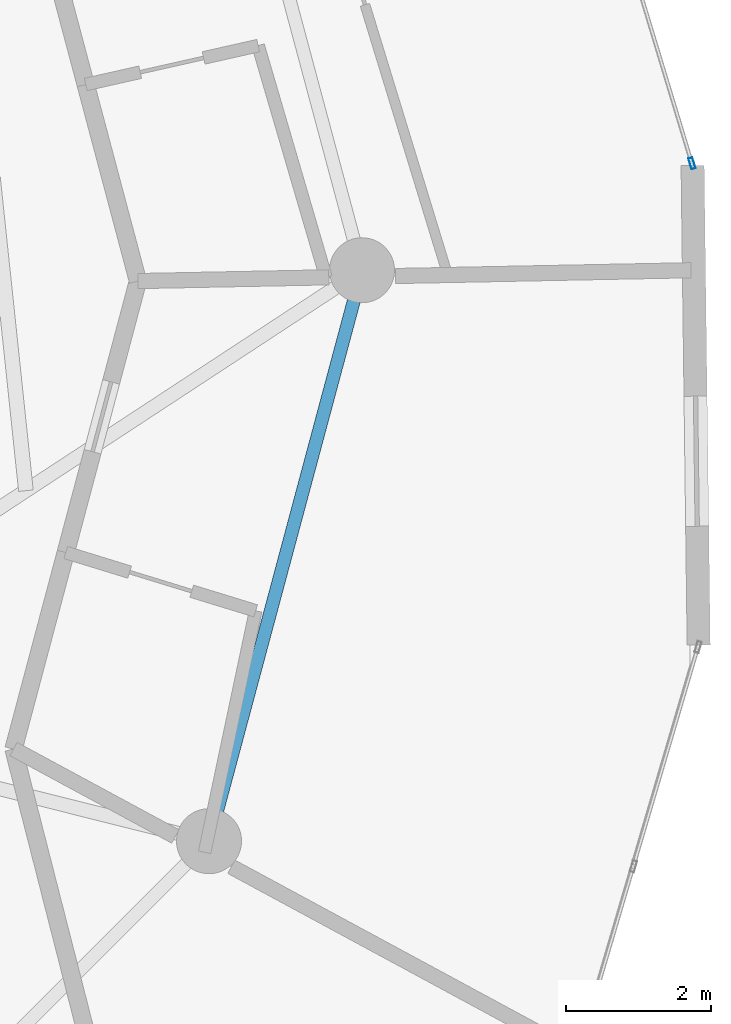
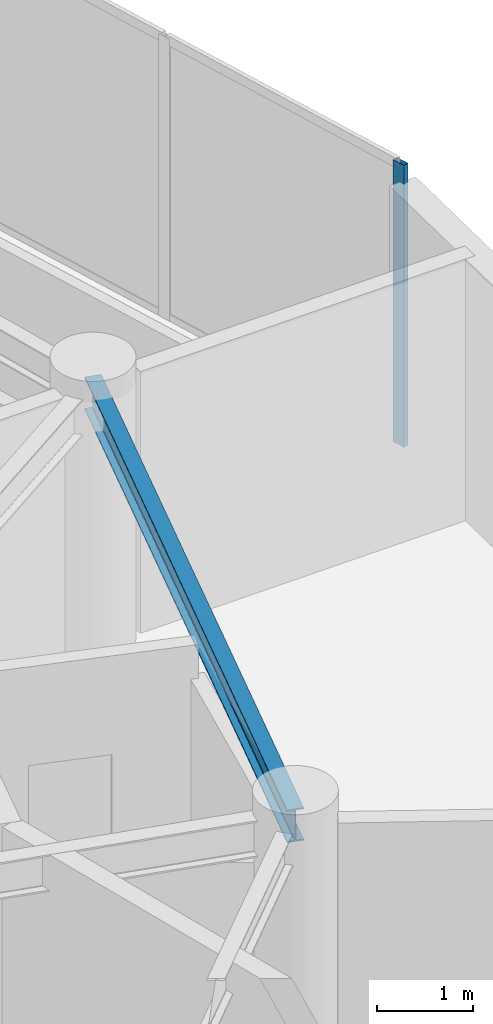
# One storey, part 10 of 21: 1 beam, 1 member, 1 element without a shape of its own.
"""IFC4 building model written with IfcOpenShell, lengths in metres."""

import ifcopenshell
import ifcopenshell.guid

model = None  # the IFC model being written
_history = None  # IfcOwnerHistory: only IFC2X3 demands one
_inside = {}  # id of a spatial element -> (the spatial element, [elements in it])
_under = {}  # id of a project, library or spatial element -> (it, [spatial elements below it])
_declared = {}  # id of a project -> (the project, [libraries it declares])
_typed = {}  # id of a type object -> (the type object, [elements of that type])
_made_of = {}  # id of a material, layer set ... -> (it, [elements and type objects made of it])


def new_model(schema):
    """Start an empty IFC model of exactly this schema.

    Asked for "IFC4X3", IfcOpenShell would pick the latest addendum, in which some entities
    have other attributes; the version numbers below select the first issue.
    IFC2X3 requires an IfcOwnerHistory on every rooted entity: one is made here for all.
    """
    global model, _history
    if schema == "IFC4X3":
        model = ifcopenshell.file(schema_version=(4, 3, 0, 0))
    else:
        model = ifcopenshell.file(schema=schema)
    _inside.clear()
    _under.clear()
    _declared.clear()
    _typed.clear()
    _made_of.clear()
    _history = None
    if model.schema == "IFC2X3":
        org = make("IfcOrganization", Name="unknown")
        user = make(
            "IfcPersonAndOrganization",
            ThePerson=make("IfcPerson", FamilyName="unknown"),
            TheOrganization=org,
        )
        app = make(
            "IfcApplication",
            ApplicationDeveloper=org,
            Version="unknown",
            ApplicationFullName="unknown",
            ApplicationIdentifier="unknown",
        )
        _history = make(
            "IfcOwnerHistory",
            OwningUser=user,
            OwningApplication=app,
            ChangeAction="ADDED",
            CreationDate=0,
        )
    return model


def make(cls, **values):
    """One entity of the class cls with the attributes given. An attribute that is None is left unset."""
    return model.create_entity(
        cls, **{name: value for name, value in values.items() if value is not None}
    )


def rooted(cls, **values):
    """An entity with a GlobalId (a new one), such as an element, a storey or a relation."""
    return make(cls, GlobalId=ifcopenshell.guid.new(), OwnerHistory=_history, **values)


def si_unit(unit_type, name, prefix=None):
    """IfcSIUnit, for example si_unit("LENGTHUNIT", "METRE", prefix="MILLI")."""
    return make("IfcSIUnit", UnitType=unit_type, Prefix=prefix, Name=name)


def assignment(units):
    """IfcUnitAssignment: the units of a project."""
    return None if units is None else make("IfcUnitAssignment", Units=units)


def point(xyz):
    """IfcCartesianPoint."""
    return None if xyz is None else make("IfcCartesianPoint", Coordinates=xyz)


def direction(xyz):
    """IfcDirection."""
    return None if xyz is None else make("IfcDirection", DirectionRatios=xyz)


def frame(location, z_axis=None, x_axis=None):
    """IfcAxis2Placement3D, a coordinate frame: its origin and axes. An axis left out is left unset."""
    return make(
        "IfcAxis2Placement3D",
        Location=point(location),
        Axis=direction(z_axis),
        RefDirection=direction(x_axis),
    )


def frame_2d(location, x_axis=None):
    """IfcAxis2Placement2D, a coordinate frame in the plane: its origin and x axis."""
    return make(
        "IfcAxis2Placement2D", Location=point(location), RefDirection=direction(x_axis)
    )


def origin():
    """The frame at (0, 0, 0) with its axes left unset."""
    return frame((0.0, 0.0, 0.0))


def origin_2d():
    """The frame at (0, 0) in the plane with its x axis left unset."""
    return frame_2d((0.0, 0.0))


def place(relative_to, where):
    """IfcLocalPlacement: puts the frame where relative to a parent placement (None: the world)."""
    return make(
        "IfcLocalPlacement", PlacementRelTo=relative_to, RelativePlacement=where
    )


def context(
    kind, dimensions, precision=None, world=None, true_north=None, identifier=None
):
    """IfcGeometricRepresentationContext, for example the 3D "Model" context."""
    return make(
        "IfcGeometricRepresentationContext",
        ContextIdentifier=identifier,
        ContextType=kind,
        CoordinateSpaceDimension=dimensions,
        Precision=precision,
        WorldCoordinateSystem=world,
        TrueNorth=true_north,
    )


def subcontext(parent, identifier, kind, view, scale=None):
    """IfcGeometricRepresentationSubContext, for example "Body" below "Model"."""
    return make(
        "IfcGeometricRepresentationSubContext",
        ContextIdentifier=identifier,
        ContextType=kind,
        ParentContext=parent,
        TargetScale=scale,
        TargetView=view,
    )


def project(units=None, contexts=None):
    """IfcProject with its units and contexts."""
    return rooted(
        "IfcProject",
        Name="project",
        RepresentationContexts=contexts,
        UnitsInContext=assignment(units),
    )


def spatial(cls, under=None, at=None, **own):
    """A site, building, storey or space (cls), placed at a placement, below another one or the project."""
    s = rooted(cls, ObjectPlacement=at, **own)
    if under is not None:
        _under.setdefault(under.id(), (under, []))[1].append(s)
    return s


def profile(cls, at=None, kind="AREA", **sizes):
    """A parametric profile (cls). Its sizes go by their IFC names, for example OverallWidth=200.0."""
    return make(cls, ProfileType=kind, Position=at, **sizes)


def hollow_rectangle(**sizes):
    """IfcRectangleHollowProfileDef."""
    return profile("IfcRectangleHollowProfileDef", **sizes)


def i_section(**sizes):
    """IfcIShapeProfileDef."""
    return profile("IfcIShapeProfileDef", **sizes)


def extrude(swept, where, along, depth):
    """IfcExtrudedAreaSolid: the profile swept, set in the frame where, extruded along a direction by depth."""
    return make(
        "IfcExtrudedAreaSolid",
        SweptArea=swept,
        Position=where,
        ExtrudedDirection=direction(along),
        Depth=depth,
    )


def shape(context_of_items, identifier, shape_type, items):
    """IfcShapeRepresentation: the items that make up one representation, for example the "Body"."""
    return make(
        "IfcShapeRepresentation",
        ContextOfItems=context_of_items,
        RepresentationIdentifier=identifier,
        RepresentationType=shape_type,
        Items=items,
    )


def source(mapping_origin, context_of_items, identifier, shape_type, items):
    """IfcRepresentationMap: a shape defined once, which mapped items show again and again."""
    return make(
        "IfcRepresentationMap",
        MappingOrigin=mapping_origin,
        MappedRepresentation=shape(context_of_items, identifier, shape_type, items),
    )


def transform(
    local_origin,
    x_axis=None,
    y_axis=None,
    z_axis=None,
    scale=None,
    scale2=None,
    scale3=None,
    uniform=True,
):
    """IfcCartesianTransformationOperator3D, or its non-uniform kind. x_axis, y_axis, z_axis: its Axis1, 2, 3."""
    if uniform:
        return make(
            "IfcCartesianTransformationOperator3D",
            Axis1=direction(x_axis),
            Axis2=direction(y_axis),
            LocalOrigin=point(local_origin),
            Scale=scale,
            Axis3=direction(z_axis),
        )
    return make(
        "IfcCartesianTransformationOperator3DnonUniform",
        Axis1=direction(x_axis),
        Axis2=direction(y_axis),
        LocalOrigin=point(local_origin),
        Scale=scale,
        Axis3=direction(z_axis),
        Scale2=scale2,
        Scale3=scale3,
    )


def mapped(mapping_source, mapping_target):
    """IfcMappedItem: shows the shape of a source again, moved by a transform."""
    return make(
        "IfcMappedItem", MappingSource=mapping_source, MappingTarget=mapping_target
    )


def material(Name=None, Category=None):
    """IfcMaterial."""
    return make("IfcMaterial", Name=Name, Category=Category)


def layer(
    of_material, thickness, ventilated=None, Name=None, Category=None, Priority=None
):
    """IfcMaterialLayer: one layer of a wall or slab, of a material (None: an air gap)."""
    return make(
        "IfcMaterialLayer",
        Material=of_material,
        LayerThickness=thickness,
        IsVentilated=ventilated,
        Name=Name,
        Category=Category,
        Priority=Priority,
    )


def layer_set(layers, Name=None):
    """IfcMaterialLayerSet."""
    return make("IfcMaterialLayerSet", MaterialLayers=layers, LayerSetName=Name)


def material_profile(
    of_material, cross_section, Name=None, Category=None, Priority=None
):
    """IfcMaterialProfile: a cross section and its material."""
    return make(
        "IfcMaterialProfile",
        Name=Name,
        Material=of_material,
        Profile=cross_section,
        Priority=Priority,
        Category=Category,
    )


def profile_set(profiles, Name=None, composite=None):
    """IfcMaterialProfileSet."""
    return make(
        "IfcMaterialProfileSet",
        Name=Name,
        MaterialProfiles=profiles,
        CompositeProfile=composite,
    )


def made_of(thing, what):
    """Note that an element or type object is made of a material, layer set ...; save() writes the relation."""
    if what is not None:
        _made_of.setdefault(what.id(), (what, []))[1].append(thing)
    return thing


def type_object(cls, material=None, **own):
    """A type object (cls), such as IfcWallType, which elements share."""
    return made_of(rooted(cls, **own), material)


def element(
    cls,
    number,
    at=None,
    inside=None,
    cuts=None,
    type_object=None,
    material=None,
    context=None,
    identifier="Body",
    shape_type=None,
    held_by="IfcProductDefinitionShape",
    body=None,
    shapes=None,
    **own,
):
    """One element of the class cls, such as IfcWall. Its Tag is "e" and its number.

    at: its placement. inside: the storey or other place that contains it. cuts: it is an
    opening in that element (IfcRelVoidsElement). A single representation is given by context,
    identifier, shape_type and body (its items); several are given by shapes. held_by: the class
    of the entity that holds the representations. save() writes the other relations.
    """
    e = rooted(cls, Tag="e%d" % number, ObjectPlacement=at, **own)
    if body is not None:
        shapes = [shape(context, identifier, shape_type, body)]
    if shapes is not None:
        e.Representation = make(held_by, Representations=shapes)
    if inside is not None:
        _inside.setdefault(inside.id(), (inside, []))[1].append(e)
    if cuts is not None:
        rooted(
            "IfcRelVoidsElement", RelatingBuildingElement=cuts, RelatedOpeningElement=e
        )
    if type_object is not None:
        _typed.setdefault(type_object.id(), (type_object, []))[1].append(e)
    return made_of(e, material)


def aggregate(whole, parts):
    """IfcRelAggregates: a whole, such as a stair, and the parts it consists of."""
    return rooted("IfcRelAggregates", RelatingObject=whole, RelatedObjects=parts)


def save(model, path):
    """Write the relations noted so far, then the file.

    IfcRelAggregates (storeys below a building ...), IfcRelContainedInSpatialStructure (elements
    in a storey), IfcRelDefinesByType, IfcRelAssociatesMaterial and IfcRelDeclares: one each for
    every whole, place, type object, material and project.
    """
    for whole, parts in _under.values():
        aggregate(whole, parts)
    for where, things in _inside.values():
        rooted(
            "IfcRelContainedInSpatialStructure",
            RelatedElements=things,
            RelatingStructure=where,
        )
    for kind, things in _typed.values():
        rooted("IfcRelDefinesByType", RelatedObjects=things, RelatingType=kind)
    for what, things in _made_of.values():
        rooted("IfcRelAssociatesMaterial", RelatedObjects=things, RelatingMaterial=what)
    for by, libraries in _declared.values():
        rooted("IfcRelDeclares", RelatingContext=by, RelatedDefinitions=libraries)
    model.write(path)


model = new_model("IFC4")

# Units and contexts
model_context = context("Model", 3, precision=1e-05, world=origin(), true_north=direction((0.0, 1.0)))
body_context = subcontext(model_context, "Body", "Model", "MODEL_VIEW")
ifc_project = project(units=[si_unit("LENGTHUNIT", "METRE"), si_unit("AREAUNIT", "SQUARE_METRE"), si_unit("VOLUMEUNIT", "CUBIC_METRE"), si_unit("PLANEANGLEUNIT", "RADIAN"), si_unit("MASSUNIT", "GRAM", prefix="KILO")], contexts=[model_context])

# Site, building, storey
site_placement = place(None, origin())
site = spatial("IfcSite", under=ifc_project, at=site_placement, CompositionType="ELEMENT")
building_placement = place(site_placement, origin())
building = spatial("IfcBuilding", under=site, at=building_placement, Name="Solvirekh Grand Hotel", CompositionType="ELEMENT")
storey_placement = place(building_placement, frame((0.0, 0.0, 205.60009765625)))
storey = spatial("IfcBuildingStorey", under=building, at=storey_placement, Name="L53", CompositionType="ELEMENT", Elevation=205.60009765625)

# Beam
ifc_material_1 = material(Name="Steel S355", Category="steel")
ifc_material_profile_1 = material_profile(ifc_material_1, i_section(OverallWidth=0.180908203125, OverallDepth=0.4169921875, WebThickness=0.010009765625, FlangeThickness=0.01611328125, FilletRadius=0.011962890625, at=origin_2d()), Name="W410X85")
ifc_profile_set_1 = profile_set([ifc_material_profile_1], Name="Steel S355")
beam_type = type_object("IfcBeamType", Name="Spandrel_Ring_W410", PredefinedType="SPANDREL", material=ifc_profile_set_1)
beam_placement = place(storey_placement, frame((13.68310546875, -7.89990234375, 3.15185546875), z_axis=(0.258838541915, 0.965920601923, 0.0), x_axis=(-0.965920601923, 0.258838541915, 0.0)))
element("IfcBeam", 1, at=beam_placement, inside=storey, type_object=beam_type, Name="L53 perimeter spandrel beam 12", PredefinedType="SPANDREL", context=body_context, shape_type="SweptSolid", body=[
    extrude(i_section(OverallWidth=0.180908203125, OverallDepth=0.4169921875, WebThickness=0.010009765625, FlangeThickness=0.01611328125, FilletRadius=0.011962890625, at=origin_2d()), origin(), (0.0, 0.0, 1.0), 8.1787109375),
])

# Curtain wall, member
ifc_material_2 = material(Name="Anodized Bronze Aluminium 6063-T6", Category="aluminium")
ifc_layer = layer(ifc_material_2, 0.159912109375)
ifc_layer_set = layer_set([ifc_layer], Name="Anodized Bronze Aluminium 6063-T6")
curtain_wall_type = type_object("IfcCurtainWallType", Name="CW_Sys4_HighZoneFlushBronzeCW", PredefinedType="NOTDEFINED", material=ifc_layer_set)
curtain_wall_placement = place(storey_placement, origin())
curtain_wall = element("IfcCurtainWall", 2, at=curtain_wall_placement, inside=storey, type_object=curtain_wall_type, Name="L53 unitised bronze-glass curtain wall CW-L53-C05", PredefinedType="NOTDEFINED")
ifc_material_profile_2 = material_profile(ifc_material_2, hollow_rectangle(XDim=0.06005859375, YDim=0.159912109375, WallThickness=0.0048828125, at=origin_2d()), Name="ALU RHS 160X60X5")
ifc_profile_set_2 = profile_set([ifc_material_profile_2], Name="Anodized Bronze Aluminium 6063-T6")
member_type = type_object("IfcMemberType", Name="CWMullion_Sys4", PredefinedType="MULLION", material=ifc_profile_set_2)
shared_shape = source(origin(), body_context, "Body", "SweptSolid", [
    extrude(hollow_rectangle(XDim=0.06005859375, YDim=0.159912109375, WallThickness=0.0048828125, at=origin_2d()), origin(), (0.0, 0.0, 1.0), 3.599853515625),
])
member_placement = place(storey_placement, frame((20.3662109375, 1.479736328125, 0.0), z_axis=(0.0, 0.0, 1.0), x_axis=(-0.957101222876, -0.289753773349, 0.0)))
member = element("IfcMember", 3, at=member_placement, type_object=member_type, Name="U04 mullion 1", PredefinedType="MULLION", context=body_context, shape_type="MappedRepresentation", body=[
    mapped(shared_shape, transform((0.0, 0.0, 0.0), x_axis=(1.0, 0.0, 0.0), y_axis=(0.0, 1.0, 0.0), z_axis=(0.0, 0.0, 1.0), scale=1.0)),
])
aggregate(curtain_wall, [member])

save(model, "model.ifc")
